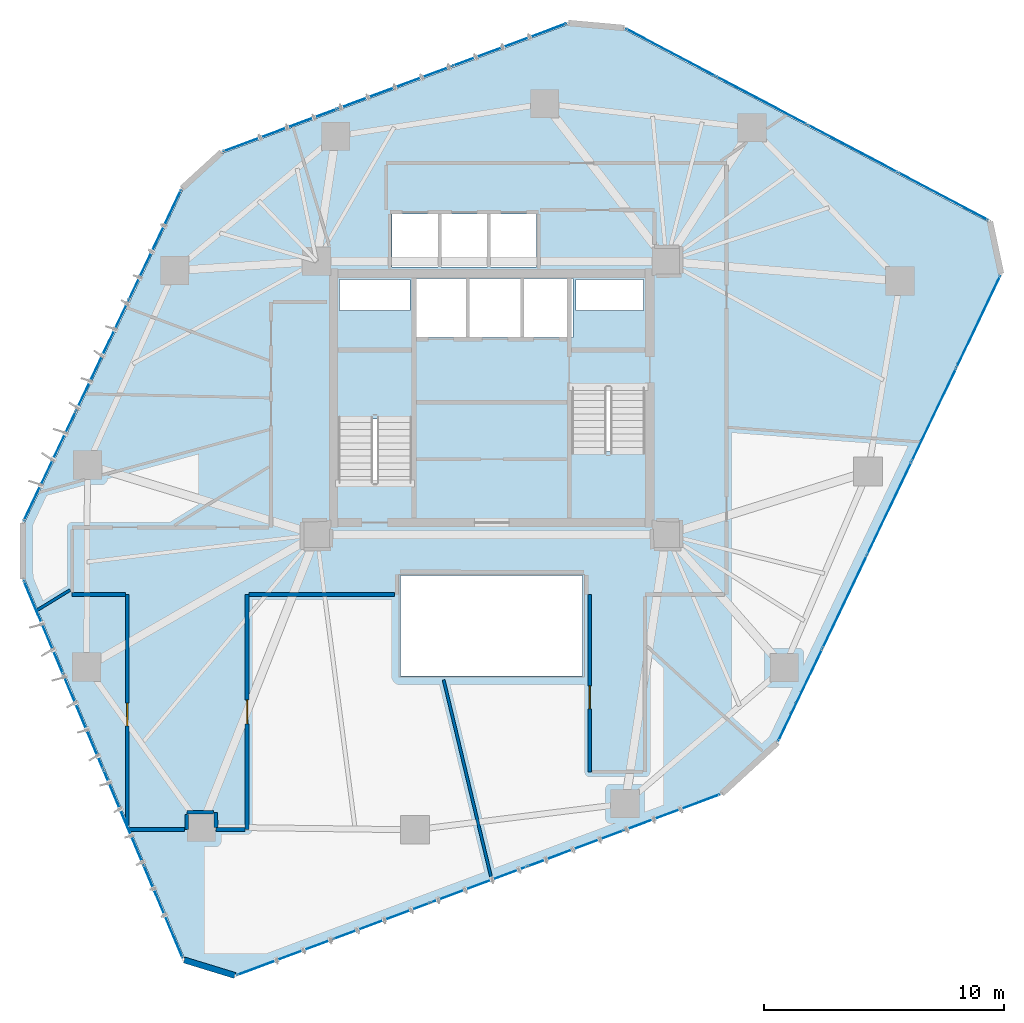
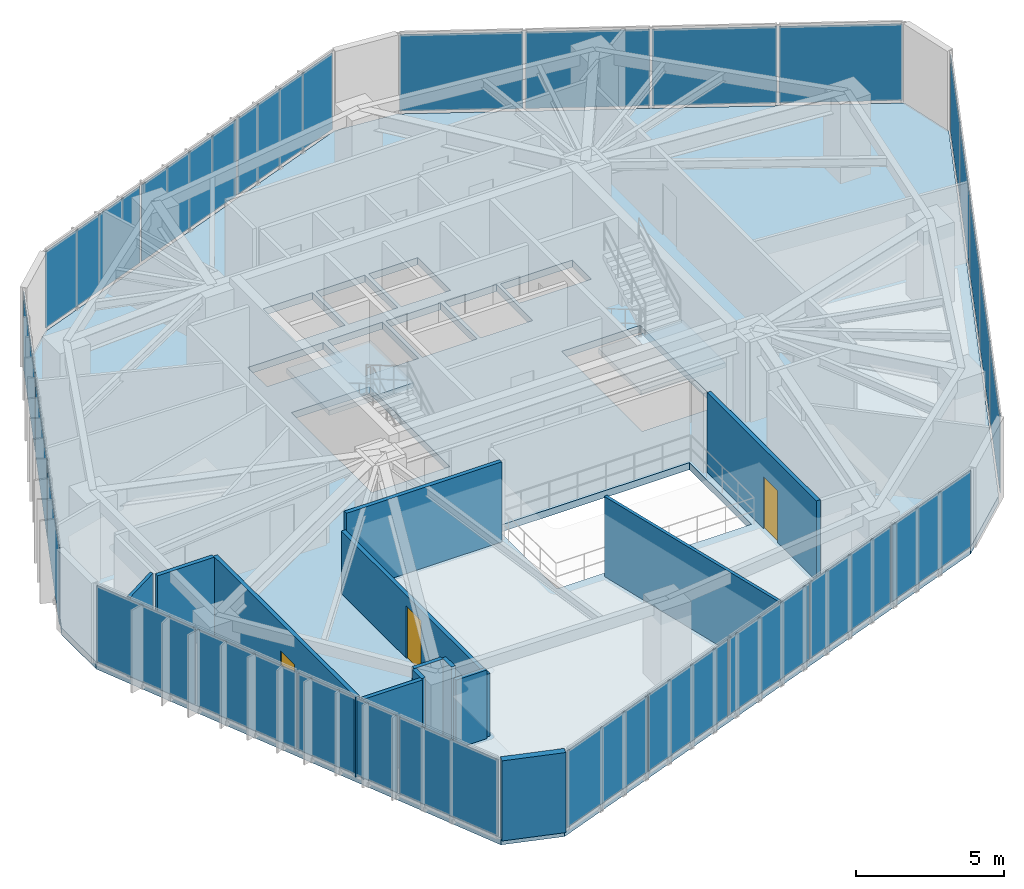
# One storey, part 16 of 22: 24 plates, 13 walls, 3 doors, 3 slabs, 3 openings, 8 elements without a shape of their own.
"""IFC4 building model written with IfcOpenShell, lengths in metres."""

from ifc_helpers import new_model, si_unit, direction, frame, frame_2d, origin, origin_2d, place, context, subcontext, project, spatial, polyline, rectangle, outline, extrude, source, transform, mapped, material, layer, layer_set, type_object, type_shapes, element, fill, aggregate, save


model = new_model("IFC4")

# Units and contexts
model_context = context("Model", 3, precision=1e-05, world=origin(), true_north=direction((0.0, 1.0)))
body_context = subcontext(model_context, "Body", "Model", "MODEL_VIEW")
ifc_project = project(units=[si_unit("LENGTHUNIT", "METRE"), si_unit("AREAUNIT", "SQUARE_METRE"), si_unit("VOLUMEUNIT", "CUBIC_METRE"), si_unit("PLANEANGLEUNIT", "RADIAN"), si_unit("MASSUNIT", "GRAM", prefix="KILO")], contexts=[model_context])

# Site, building, storey
site_placement = place(None, origin())
site = spatial("IfcSite", under=ifc_project, at=site_placement, CompositionType="ELEMENT")
building_placement = place(site_placement, origin())
building = spatial("IfcBuilding", under=site, at=building_placement, Name="Talar Marvaseh", CompositionType="ELEMENT")
storey_placement = place(building_placement, frame((0.0, 0.0, 150.60009765625)))
storey = spatial("IfcBuildingStorey", under=building, at=storey_placement, Name="L39", CompositionType="ELEMENT", Elevation=150.60009765625)

# Stair, slab
ifc_material_1 = material(Name="Concrete C40/50", Category="concrete")
stair_type = type_object("IfcStairType", Name="Reinforced Concrete Half-Turn Exit Stair Type B", PredefinedType="HALF_TURN_STAIR", material=ifc_material_1)
stair_1_placement = place(storey_placement, origin())
stair_1 = element("IfcStair", 1, at=stair_1_placement, inside=storey, type_object=stair_type, Name="L39 Tower West Core Exit Stair", PredefinedType="HALF_TURN_STAIR")
ifc_layer_1 = layer(ifc_material_1, 0.199951171875)
ifc_layer_set_1 = layer_set([ifc_layer_1], Name="Concrete C40/50")
slab_type_1 = type_object("IfcSlabType", Name="Reinforced Concrete Stair Half-Landing Slab 200", PredefinedType="LANDING", material=ifc_layer_set_1)
slab_1_placement = place(storey_placement, frame((0.0, 0.0, 1.599853515625)))
slab_1 = element("IfcSlab", 2, at=slab_1_placement, type_object=slab_type_1, Name="ST-1 landing 1", PredefinedType="LANDING", context=body_context, shape_type="SweptSolid", body=[
    extrude(outline(polyline([(22.780029296875, 30.330078125), (22.780029296875, 33.219970703125), (19.47998046875, 33.219970703125), (19.47998046875, 30.330078125), (22.780029296875, 30.330078125)])), origin(), (0.0, 0.0, 1.0), 0.199951171875),
])
aggregate(stair_1, [slab_1])

stair_2_placement = place(storey_placement, origin())
stair_2 = element("IfcStair", 3, at=stair_2_placement, inside=storey, type_object=stair_type, Name="L39 Tower East Core Exit Stair", PredefinedType="HALF_TURN_STAIR")
slab_2_placement = place(storey_placement, frame((0.0, 0.0, 1.599853515625)))
slab_2 = element("IfcSlab", 4, at=slab_2_placement, type_object=slab_type_1, Name="ST-2 landing 1", PredefinedType="LANDING", context=body_context, shape_type="SweptSolid", body=[
    extrude(outline(polyline([(29.219970703125, 28.969970703125), (29.219970703125, 26.080078125), (32.52001953125, 26.080078125), (32.52001953125, 28.969970703125), (29.219970703125, 28.969970703125)])), origin(), (0.0, 0.0, 1.0), 0.199951171875),
])
aggregate(stair_2, [slab_2])

# Slab
ifc_layer_2 = layer(ifc_material_1, 0.2900390625)
ifc_layer_set_2 = layer_set([ifc_layer_2], Name="Concrete C40/50")
slab_type_2 = type_object("IfcSlabType", Name="Structural Suspended Floor Slab 290", PredefinedType="FLOOR", material=ifc_layer_set_2)
slab_3_placement = place(storey_placement, frame((0.0, 0.0, -0.2900390625)))
element("IfcSlab", 5, at=slab_3_placement, inside=storey, type_object=slab_type_2, Name="L39 Tower Floor Slab", PredefinedType="FLOOR", context=body_context, shape_type="SweptSolid", body=[
    extrude(outline(polyline([(15.311279296875, 7.159423828125), (13.1923828125, 7.810302734375), (6.517578125, 23.653076171875), (6.5126953125, 25.993896484375), (13.12158203125, 39.892578125), (14.777099609375, 41.409423828125), (29.19873046875, 46.781982421875), (31.5302734375, 46.57275390625), (46.731201171875, 38.542724609375), (47.19482421875, 36.375), (37.885009765625, 16.86474609375), (35.558837890625, 14.733154296875), (15.311279296875, 7.159423828125)]), holes=[polyline([(22.659912109375, 27.64990234375), (22.659912109375, 33.10009765625), (19.60009765625, 33.10009765625), (19.60009765625, 27.64990234375), (22.659912109375, 27.64990234375)]), polyline([(29.340087890625, 31.64990234375), (29.340087890625, 26.199951171875), (32.39990234375, 26.199951171875), (32.39990234375, 31.64990234375), (29.340087890625, 31.64990234375)]), polyline([(22.800048828125, 33.719970703125), (24.93994140625, 33.719970703125), (24.93994140625, 36.179931640625), (22.800048828125, 36.179931640625), (22.800048828125, 33.719970703125)]), polyline([(25.080078125, 33.719970703125), (27.219970703125, 33.719970703125), (27.219970703125, 36.179931640625), (25.080078125, 36.179931640625), (25.080078125, 33.719970703125)]), polyline([(27.360107421875, 33.719970703125), (29.39990234375, 33.719970703125), (29.39990234375, 36.179931640625), (27.360107421875, 36.179931640625), (27.360107421875, 33.719970703125)]), polyline([(21.840087890625, 36.659912109375), (23.760009765625, 36.659912109375), (23.760009765625, 38.8798828125), (21.840087890625, 38.8798828125), (21.840087890625, 36.659912109375)]), polyline([(23.89990234375, 36.659912109375), (25.820068359375, 36.659912109375), (25.820068359375, 38.8798828125), (23.89990234375, 38.8798828125), (23.89990234375, 36.659912109375)]), polyline([(25.9599609375, 36.659912109375), (27.8798828125, 36.659912109375), (27.8798828125, 38.8798828125), (25.9599609375, 38.8798828125), (25.9599609375, 36.659912109375)]), polyline([(19.659912109375, 34.840087890625), (22.60009765625, 34.840087890625), (22.60009765625, 36.139892578125), (19.659912109375, 36.139892578125), (19.659912109375, 34.840087890625)]), polyline([(29.52001953125, 34.840087890625), (32.340087890625, 34.840087890625), (32.340087890625, 36.139892578125), (29.52001953125, 36.139892578125), (29.52001953125, 34.840087890625)]), polyline([(22.199951171875, 19.60009765625), (29.800048828125, 19.60009765625), (29.800048828125, 23.800048828125), (22.199951171875, 23.800048828125), (22.199951171875, 19.60009765625)])]), origin(), (0.0, 0.0, 1.0), 0.2900390625),
])

# Curtain wall, plates
ifc_material_2 = material(Name="Architectural Aluminium", Category="aluminium")
ifc_layer_3 = layer(ifc_material_2, 0.199951171875)
ifc_layer_set_3 = layer_set([ifc_layer_3], Name="Architectural Aluminium")
curtain_wall_type = type_object("IfcCurtainWallType", Name="Unitised Acoustic Library Curtain Wall Z2", PredefinedType="NOTDEFINED", material=ifc_layer_set_3)
curtain_wall_1_placement = place(storey_placement, origin())
curtain_wall_1 = element("IfcCurtainWall", 6, at=curtain_wall_1_placement, inside=storey, type_object=curtain_wall_type, Name="L39 Unitised Acoustic Library Curtain Wall Z2", PredefinedType="NOTDEFINED")
ifc_material_3 = material(Name="Laminated Low-E Solar Glass", Category="glass")
ifc_layer_4 = layer(ifc_material_3, 0.028076171875)
ifc_layer_set_4 = layer_set([ifc_layer_4], Name="Laminated Low-E Solar Glass")
plate_type = type_object("IfcPlateType", Name="Double-Glazed Low-E Vision Curtain Panel 28", PredefinedType="CURTAIN_PANEL", material=ifc_layer_set_4)
shared_shape_1 = source(origin(), body_context, "Body", "SweptSolid", [
    extrude(rectangle(XDim=4.185302734375, YDim=0.028076171875, at=origin_2d()), origin(), (0.0, 0.0, 1.0), 3.159912109375),
])
plate_1_placement = place(storey_placement, frame((12.295654296875, 9.784423828125, 0.07470703125), z_axis=(0.0, 0.0, 1.0), x_axis=(-0.388259825924, 0.921549948496, 0.0)))
plate_1 = element("IfcPlate", 7, at=plate_1_placement, type_object=plate_type, Name="CW-Z2 panel 1.1", PredefinedType="CURTAIN_PANEL", context=body_context, shape_type="MappedRepresentation", body=[
    mapped(shared_shape_1, transform((0.0, 0.0, 0.0), x_axis=(1.0, 0.0, 0.0), y_axis=(0.0, 1.0, 0.0), z_axis=(0.0, 0.0, 1.0), scale=1.0)),
])
plate_2_placement = place(storey_placement, frame((7.303955078125, 21.632080078125, 0.07470703125), z_axis=(0.0, 0.0, 1.0), x_axis=(-0.388259825924, 0.921549948496, 0.0)))
plate_2 = element("IfcPlate", 8, at=plate_2_placement, type_object=plate_type, Name="CW-Z2 panel 4.1", PredefinedType="CURTAIN_PANEL", context=body_context, shape_type="MappedRepresentation", body=[
    mapped(shared_shape_1, transform((0.0, 0.0, 0.0), x_axis=(1.0, 0.0, 0.0), y_axis=(0.0, 1.0, 0.0), z_axis=(0.0, 0.0, 1.0), scale=1.0)),
])

curtain_wall_2_placement = place(storey_placement, origin())
curtain_wall_2 = element("IfcCurtainWall", 9, at=curtain_wall_2_placement, inside=storey, type_object=curtain_wall_type, Name="L39 Unitised Acoustic Library Curtain Wall Z2", PredefinedType="NOTDEFINED")
plate_3_placement = place(storey_placement, frame((33.47509765625, 45.61328125, 0.07470703125), z_axis=(0.0, 0.0, 1.0), x_axis=(0.88420566825, -0.467097780164, 0.0)))
plate_3 = element("IfcPlate", 10, at=plate_3_placement, type_object=plate_type, Name="CW-Z2 panel 1.1", PredefinedType="CURTAIN_PANEL", context=body_context, shape_type="MappedRepresentation", body=[
    mapped(shared_shape_1, transform((0.0, 0.0, 0.0), x_axis=(1.0, 0.0, 0.0), y_axis=(0.0, 1.0, 0.0), z_axis=(0.0, 0.0, 1.0), scale=1.0)),
])
plate_4_placement = place(storey_placement, frame((44.842529296875, 39.6083984375, 0.07470703125), z_axis=(0.0, 0.0, 1.0), x_axis=(0.88420566825, -0.467097780164, 0.0)))
plate_4 = element("IfcPlate", 11, at=plate_4_placement, type_object=plate_type, Name="CW-Z2 panel 4.1", PredefinedType="CURTAIN_PANEL", context=body_context, shape_type="MappedRepresentation", body=[
    mapped(shared_shape_1, transform((0.0, 0.0, 0.0), x_axis=(1.0, 0.0, 0.0), y_axis=(0.0, 1.0, 0.0), z_axis=(0.0, 0.0, 1.0), scale=1.0)),
])

# Plate
shared_shape_2 = source(origin(), body_context, "Body", "SweptSolid", [
    extrude(rectangle(XDim=4.222900390625, YDim=0.028076171875, at=origin_2d()), origin(), (0.0, 0.0, 1.0), 3.159912109375),
])
plate_5_placement = place(storey_placement, frame((10.634033203125, 13.72802734375, 0.07470703125), z_axis=(0.0, 0.0, 1.0), x_axis=(-0.388259825924, 0.921549948496, 0.0)))
plate_5 = element("IfcPlate", 12, at=plate_5_placement, type_object=plate_type, Name="CW-Z2 panel 2.1", PredefinedType="CURTAIN_PANEL", context=body_context, shape_type="MappedRepresentation", body=[
    mapped(shared_shape_2, transform((0.0, 0.0, 0.0), x_axis=(1.0, 0.0, 0.0), y_axis=(0.0, 1.0, 0.0), z_axis=(0.0, 0.0, 1.0), scale=1.0)),
])

plate_6_placement = place(storey_placement, frame((8.96533203125, 17.688720703125, 0.07470703125), z_axis=(0.0, 0.0, 1.0), x_axis=(-0.388259825924, 0.921549948496, 0.0)))
plate_6 = element("IfcPlate", 13, at=plate_6_placement, type_object=plate_type, Name="CW-Z2 panel 3.1", PredefinedType="CURTAIN_PANEL", context=body_context, shape_type="MappedRepresentation", body=[
    mapped(shared_shape_2, transform((0.0, 0.0, 0.0), x_axis=(1.0, 0.0, 0.0), y_axis=(0.0, 1.0, 0.0), z_axis=(0.0, 0.0, 1.0), scale=1.0)),
])

aggregate(curtain_wall_1, [plate_1, plate_5, plate_6, plate_2])

plate_7_placement = place(storey_placement, frame((37.258544921875, 43.614501953125, 0.07470703125), z_axis=(0.0, 0.0, 1.0), x_axis=(0.88420566825, -0.467097780164, 0.0)))
plate_7 = element("IfcPlate", 14, at=plate_7_placement, type_object=plate_type, Name="CW-Z2 panel 2.1", PredefinedType="CURTAIN_PANEL", context=body_context, shape_type="MappedRepresentation", body=[
    mapped(shared_shape_2, transform((0.0, 0.0, 0.0), x_axis=(1.0, 0.0, 0.0), y_axis=(0.0, 1.0, 0.0), z_axis=(0.0, 0.0, 1.0), scale=1.0)),
])

plate_8_placement = place(storey_placement, frame((41.058837890625, 41.607177734375, 0.07470703125), z_axis=(0.0, 0.0, 1.0), x_axis=(0.88420566825, -0.467097780164, 0.0)))
plate_8 = element("IfcPlate", 15, at=plate_8_placement, type_object=plate_type, Name="CW-Z2 panel 3.1", PredefinedType="CURTAIN_PANEL", context=body_context, shape_type="MappedRepresentation", body=[
    mapped(shared_shape_2, transform((0.0, 0.0, 0.0), x_axis=(1.0, 0.0, 0.0), y_axis=(0.0, 1.0, 0.0), z_axis=(0.0, 0.0, 1.0), scale=1.0)),
])

aggregate(curtain_wall_2, [plate_3, plate_7, plate_8, plate_4])

# Curtain wall, plates
curtain_wall_3_placement = place(storey_placement, origin())
curtain_wall_3 = element("IfcCurtainWall", 16, at=curtain_wall_3_placement, inside=storey, type_object=curtain_wall_type, Name="L39 Unitised Acoustic Library Curtain Wall Z2", PredefinedType="NOTDEFINED")
shared_shape_3 = source(origin(), body_context, "Body", "SweptSolid", [
    extrude(rectangle(XDim=5.017578125, YDim=0.028076171875, at=origin_2d()), origin(), (0.0, 0.0, 1.0), 3.159912109375),
])
plate_9_placement = place(storey_placement, frame((7.56787109375, 28.35302734375, 0.07470703125), z_axis=(0.0, 0.0, 1.0), x_axis=(0.429439414656, 0.903095669982, 0.0)))
plate_9 = element("IfcPlate", 17, at=plate_9_placement, type_object=plate_type, Name="CW-Z2 panel 1.1", PredefinedType="CURTAIN_PANEL", context=body_context, shape_type="MappedRepresentation", body=[
    mapped(shared_shape_3, transform((0.0, 0.0, 0.0), x_axis=(1.0, 0.0, 0.0), y_axis=(0.0, 1.0, 0.0), z_axis=(0.0, 0.0, 1.0), scale=1.0)),
])
plate_10_placement = place(storey_placement, frame((11.9580078125, 37.5849609375, 0.07470703125), z_axis=(0.0, 0.0, 1.0), x_axis=(0.429439414656, 0.903095669982, 0.0)))
plate_10 = element("IfcPlate", 18, at=plate_10_placement, type_object=plate_type, Name="CW-Z2 panel 3.1", PredefinedType="CURTAIN_PANEL", context=body_context, shape_type="MappedRepresentation", body=[
    mapped(shared_shape_3, transform((0.0, 0.0, 0.0), x_axis=(1.0, 0.0, 0.0), y_axis=(0.0, 1.0, 0.0), z_axis=(0.0, 0.0, 1.0), scale=1.0)),
])

curtain_wall_4_placement = place(storey_placement, origin())
curtain_wall_4 = element("IfcCurtainWall", 19, at=curtain_wall_4_placement, inside=storey, type_object=curtain_wall_type, Name="L39 Unitised Acoustic Library Curtain Wall Z2", PredefinedType="NOTDEFINED")
plate_11_placement = place(storey_placement, frame((17.17724609375, 42.36767578125, 0.07470703125), z_axis=(0.0, 0.0, 1.0), x_axis=(0.937086949634, 0.349096045274, 0.0)))
plate_11 = element("IfcPlate", 20, at=plate_11_placement, type_object=plate_type, Name="CW-Z2 panel 1.1", PredefinedType="CURTAIN_PANEL", context=body_context, shape_type="MappedRepresentation", body=[
    mapped(shared_shape_3, transform((0.0, 0.0, 0.0), x_axis=(1.0, 0.0, 0.0), y_axis=(0.0, 1.0, 0.0), z_axis=(0.0, 0.0, 1.0), scale=1.0)),
])
plate_12_placement = place(storey_placement, frame((26.756591796875, 45.936279296875, 0.07470703125), z_axis=(0.0, 0.0, 1.0), x_axis=(0.937086949634, 0.349096045274, 0.0)))
plate_12 = element("IfcPlate", 21, at=plate_12_placement, type_object=plate_type, Name="CW-Z2 panel 3.1", PredefinedType="CURTAIN_PANEL", context=body_context, shape_type="MappedRepresentation", body=[
    mapped(shared_shape_3, transform((0.0, 0.0, 0.0), x_axis=(1.0, 0.0, 0.0), y_axis=(0.0, 1.0, 0.0), z_axis=(0.0, 0.0, 1.0), scale=1.0)),
])

# Plate
shared_shape_4 = source(origin(), body_context, "Body", "SweptSolid", [
    extrude(rectangle(XDim=5.054931640625, YDim=0.028076171875, at=origin_2d()), origin(), (0.0, 0.0, 1.0), 3.159912109375),
])
plate_13_placement = place(storey_placement, frame((9.762939453125, 32.968994140625, 0.07470703125), z_axis=(0.0, 0.0, 1.0), x_axis=(0.429439414656, 0.903095669982, 0.0)))
plate_13 = element("IfcPlate", 22, at=plate_13_placement, type_object=plate_type, Name="CW-Z2 panel 2.1", PredefinedType="CURTAIN_PANEL", context=body_context, shape_type="MappedRepresentation", body=[
    mapped(shared_shape_4, transform((0.0, 0.0, 0.0), x_axis=(1.0, 0.0, 0.0), y_axis=(0.0, 1.0, 0.0), z_axis=(0.0, 0.0, 1.0), scale=1.0)),
])

aggregate(curtain_wall_3, [plate_9, plate_13, plate_10])

plate_14_placement = place(storey_placement, frame((21.967041015625, 44.15185546875, 0.07470703125), z_axis=(0.0, 0.0, 1.0), x_axis=(0.937086949634, 0.349096045274, 0.0)))
plate_14 = element("IfcPlate", 23, at=plate_14_placement, type_object=plate_type, Name="CW-Z2 panel 2.1", PredefinedType="CURTAIN_PANEL", context=body_context, shape_type="MappedRepresentation", body=[
    mapped(shared_shape_4, transform((0.0, 0.0, 0.0), x_axis=(1.0, 0.0, 0.0), y_axis=(0.0, 1.0, 0.0), z_axis=(0.0, 0.0, 1.0), scale=1.0)),
])

aggregate(curtain_wall_4, [plate_11, plate_14, plate_12])

# Curtain wall, plates
curtain_wall_5_placement = place(storey_placement, origin())
curtain_wall_5 = element("IfcCurtainWall", 24, at=curtain_wall_5_placement, inside=storey, type_object=curtain_wall_type, Name="L39 Unitised Acoustic Library Curtain Wall Z2", PredefinedType="NOTDEFINED")
shared_shape_5 = source(origin(), body_context, "Body", "SweptSolid", [
    extrude(rectangle(XDim=4.2109375, YDim=0.028076171875, at=origin_2d()), origin(), (0.0, 0.0, 1.0), 3.159912109375),
])
plate_15_placement = place(storey_placement, frame((46.31005859375, 34.38134765625, 0.07470703125), z_axis=(0.0, 0.0, 1.0), x_axis=(-0.430652947706, -0.902517611259, 0.0)))
plate_15 = element("IfcPlate", 25, at=plate_15_placement, type_object=plate_type, Name="CW-Z2 panel 1.1", PredefinedType="CURTAIN_PANEL", context=body_context, shape_type="MappedRepresentation", body=[
    mapped(shared_shape_5, transform((0.0, 0.0, 0.0), x_axis=(1.0, 0.0, 0.0), y_axis=(0.0, 1.0, 0.0), z_axis=(0.0, 0.0, 1.0), scale=1.0)),
])
plate_16_placement = place(storey_placement, frame((38.87841796875, 18.806884765625, 0.07470703125), z_axis=(0.0, 0.0, 1.0), x_axis=(-0.430652947706, -0.902517611259, 0.0)))
plate_16 = element("IfcPlate", 26, at=plate_16_placement, type_object=plate_type, Name="CW-Z2 panel 5.1", PredefinedType="CURTAIN_PANEL", context=body_context, shape_type="MappedRepresentation", body=[
    mapped(shared_shape_5, transform((0.0, 0.0, 0.0), x_axis=(1.0, 0.0, 0.0), y_axis=(0.0, 1.0, 0.0), z_axis=(0.0, 0.0, 1.0), scale=1.0)),
])

curtain_wall_6_placement = place(storey_placement, origin())
curtain_wall_6 = element("IfcCurtainWall", 27, at=curtain_wall_6_placement, inside=storey, type_object=curtain_wall_type, Name="L39 Unitised Acoustic Library Curtain Wall Z2", PredefinedType="NOTDEFINED")
plate_17_placement = place(storey_placement, frame((33.53759765625, 13.9130859375, 0.07470703125), z_axis=(0.0, 0.0, 1.0), x_axis=(-0.936618007098, -0.350352263842, 0.0)))
plate_17 = element("IfcPlate", 28, at=plate_17_placement, type_object=plate_type, Name="CW-Z2 panel 1.1", PredefinedType="CURTAIN_PANEL", context=body_context, shape_type="MappedRepresentation", body=[
    mapped(shared_shape_5, transform((0.0, 0.0, 0.0), x_axis=(1.0, 0.0, 0.0), y_axis=(0.0, 1.0, 0.0), z_axis=(0.0, 0.0, 1.0), scale=1.0)),
])
plate_18_placement = place(storey_placement, frame((17.374755859375, 7.8671875, 0.07470703125), z_axis=(0.0, 0.0, 1.0), x_axis=(-0.936618007098, -0.350352263842, 0.0)))
plate_18 = element("IfcPlate", 29, at=plate_18_placement, type_object=plate_type, Name="CW-Z2 panel 5.1", PredefinedType="CURTAIN_PANEL", context=body_context, shape_type="MappedRepresentation", body=[
    mapped(shared_shape_5, transform((0.0, 0.0, 0.0), x_axis=(1.0, 0.0, 0.0), y_axis=(0.0, 1.0, 0.0), z_axis=(0.0, 0.0, 1.0), scale=1.0)),
])

# Plate
shared_shape_6 = source(origin(), body_context, "Body", "SweptSolid", [
    extrude(rectangle(XDim=4.24853515625, YDim=0.028076171875, at=origin_2d()), origin(), (0.0, 0.0, 1.0), 3.159912109375),
])
type_shapes(plate_type, [shared_shape_1, shared_shape_2, shared_shape_3, shared_shape_4, shared_shape_5, shared_shape_6])
plate_19_placement = place(storey_placement, frame((44.4560546875, 30.49609375, 0.07470703125), z_axis=(0.0, 0.0, 1.0), x_axis=(-0.430652947706, -0.902517611259, 0.0)))
plate_19 = element("IfcPlate", 30, at=plate_19_placement, type_object=plate_type, Name="CW-Z2 panel 2.1", PredefinedType="CURTAIN_PANEL", context=body_context, shape_type="MappedRepresentation", body=[
    mapped(shared_shape_6, transform((0.0, 0.0, 0.0), x_axis=(1.0, 0.0, 0.0), y_axis=(0.0, 1.0, 0.0), z_axis=(0.0, 0.0, 1.0), scale=1.0)),
])

plate_20_placement = place(storey_placement, frame((42.59423828125, 26.59423828125, 0.07470703125), z_axis=(0.0, 0.0, 1.0), x_axis=(-0.430652947706, -0.902517611259, 0.0)))
plate_20 = element("IfcPlate", 31, at=plate_20_placement, type_object=plate_type, Name="CW-Z2 panel 3.1", PredefinedType="CURTAIN_PANEL", context=body_context, shape_type="MappedRepresentation", body=[
    mapped(shared_shape_6, transform((0.0, 0.0, 0.0), x_axis=(1.0, 0.0, 0.0), y_axis=(0.0, 1.0, 0.0), z_axis=(0.0, 0.0, 1.0), scale=1.0)),
])

plate_21_placement = place(storey_placement, frame((40.732177734375, 22.692138671875, 0.07470703125), z_axis=(0.0, 0.0, 1.0), x_axis=(-0.430652947706, -0.902517611259, 0.0)))
plate_21 = element("IfcPlate", 32, at=plate_21_placement, type_object=plate_type, Name="CW-Z2 panel 4.1", PredefinedType="CURTAIN_PANEL", context=body_context, shape_type="MappedRepresentation", body=[
    mapped(shared_shape_6, transform((0.0, 0.0, 0.0), x_axis=(1.0, 0.0, 0.0), y_axis=(0.0, 1.0, 0.0), z_axis=(0.0, 0.0, 1.0), scale=1.0)),
])

aggregate(curtain_wall_5, [plate_15, plate_19, plate_20, plate_21, plate_16])

plate_22_placement = place(storey_placement, frame((29.505615234375, 12.40478515625, 0.07470703125), z_axis=(0.0, 0.0, 1.0), x_axis=(-0.936618007098, -0.350352263842, 0.0)))
plate_22 = element("IfcPlate", 33, at=plate_22_placement, type_object=plate_type, Name="CW-Z2 panel 2.1", PredefinedType="CURTAIN_PANEL", context=body_context, shape_type="MappedRepresentation", body=[
    mapped(shared_shape_6, transform((0.0, 0.0, 0.0), x_axis=(1.0, 0.0, 0.0), y_axis=(0.0, 1.0, 0.0), z_axis=(0.0, 0.0, 1.0), scale=1.0)),
])

plate_23_placement = place(storey_placement, frame((25.4560546875, 10.89013671875, 0.07470703125), z_axis=(0.0, 0.0, 1.0), x_axis=(-0.936618007098, -0.350352263842, 0.0)))
plate_23 = element("IfcPlate", 34, at=plate_23_placement, type_object=plate_type, Name="CW-Z2 panel 3.1", PredefinedType="CURTAIN_PANEL", context=body_context, shape_type="MappedRepresentation", body=[
    mapped(shared_shape_6, transform((0.0, 0.0, 0.0), x_axis=(1.0, 0.0, 0.0), y_axis=(0.0, 1.0, 0.0), z_axis=(0.0, 0.0, 1.0), scale=1.0)),
])

plate_24_placement = place(storey_placement, frame((21.40673828125, 9.375244140625, 0.07470703125), z_axis=(0.0, 0.0, 1.0), x_axis=(-0.936618007098, -0.350352263842, 0.0)))
plate_24 = element("IfcPlate", 35, at=plate_24_placement, type_object=plate_type, Name="CW-Z2 panel 4.1", PredefinedType="CURTAIN_PANEL", context=body_context, shape_type="MappedRepresentation", body=[
    mapped(shared_shape_6, transform((0.0, 0.0, 0.0), x_axis=(1.0, 0.0, 0.0), y_axis=(0.0, 1.0, 0.0), z_axis=(0.0, 0.0, 1.0), scale=1.0)),
])

aggregate(curtain_wall_6, [plate_17, plate_22, plate_23, plate_24, plate_18])

# Wall
ifc_material_4 = material(Name="Precast concrete C45/55", Category="concrete")
ifc_layer_5 = layer(ifc_material_4, 0.2548828125)
ifc_layer_set_5 = layer_set([ifc_layer_5], Name="Precast concrete C45/55")
wall_type_1 = type_object("IfcWallType", Name="Chamfered Hexagonal Corner Pier Wall Z2 255", PredefinedType="SOLIDWALL", material=ifc_layer_set_5)
wall_1_placement = place(storey_placement, frame((15.293701171875, 7.10205078125, 0.0), z_axis=(0.0, 0.0, 1.0), x_axis=(-0.95594793811, 0.293536266282, 0.0)))
element("IfcWall", 36, at=wall_1_placement, inside=storey, type_object=wall_type_1, Name="L39 Chamfered Corner Limestone Pier 1", PredefinedType="SOLIDWALL", context=body_context, shape_type="SweptSolid", body=[
    extrude(rectangle(XDim=2.216552734375, YDim=0.2548828125, at=frame_2d((1.1083984375, 0.0))), origin(), (0.0, 0.0, 1.0), 3.309814453125),
])

# Wall, opening, door
ifc_material_5 = material(Name="Gypsum Board Partition Assembly")
ifc_layer_6 = layer(ifc_material_5, 0.155029296875)
ifc_layer_set_6 = layer_set([ifc_layer_6], Name="Gypsum Board Partition Assembly")
wall_type_2 = type_object("IfcWallType", Name="Corridor Fire-Rated Acoustic Partition 155", PredefinedType="PARTITIONING", material=ifc_layer_set_6)
wall_2_placement = place(storey_placement, frame((30.10009765625, 15.60009765625, 0.0), z_axis=(0.0, 0.0, 1.0), x_axis=(0.0, 1.0, 0.0)))
wall_2 = element("IfcWall", 37, at=wall_2_placement, inside=storey, type_object=wall_type_2, Name="L39 Interior Partition Wall", PredefinedType="PARTITIONING", context=body_context, shape_type="SweptSolid", body=[
    extrude(rectangle(XDim=7.39990234375, YDim=0.155029296875, at=frame_2d((3.699951171875, 0.0))), origin(), (0.0, 0.0, 1.0), 3.309814453125),
])
opening_1_placement = place(wall_2_placement, frame((2.633056640625, 0.0, 0.0)))
opening_1 = element("IfcOpeningElement", 38, at=opening_1_placement, cuts=wall_2, Name="Opening DR-WC095", PredefinedType="OPENING", context=body_context, shape_type="SweptSolid", body=[
    extrude(rectangle(XDim=0.949951171875, YDim=2.14990234375, at=frame_2d((0.47509765625, 1.074951171875))), frame((0.0, 0.08740234375, 0.0), z_axis=(0.0, -1.0, 0.0), x_axis=(1.0, 0.0, 0.0)), (0.0, 0.0, 1.0), 0.175048828125),
])
ifc_material_6 = material(Name="Acoustic Engineered Oak Timber", Category="wood")
door_type_1 = type_object("IfcDoorType", Name="Washroom and Service Room Door 950x2150", OperationType="NOTDEFINED", PredefinedType="DOOR", material=ifc_material_6)
shared_shape_7 = source(origin(), body_context, "Body", "SweptSolid", [
    extrude(rectangle(XDim=0.949951171875, YDim=2.14990234375, at=frame_2d((0.47509765625, 1.074951171875))), frame((0.0, 0.02490234375, 0.0), z_axis=(0.0, -1.0, 0.0), x_axis=(1.0, 0.0, 0.0)), (0.0, 0.0, 1.0), 0.050048828125),
])
type_shapes(door_type_1, [shared_shape_7])
door_1_placement = place(opening_1_placement, origin())
door_1 = element("IfcDoor", 39, at=door_1_placement, inside=storey, type_object=door_type_1, Name="L39 Scholars' Servery Pantry Door", OperationType="SINGLE_SWING_RIGHT", OverallHeight=2.14990234375, OverallWidth=0.949951171875, PredefinedType="DOOR", context=body_context, shape_type="MappedRepresentation", body=[
    mapped(shared_shape_7, transform((0.0, 0.0, 0.0), x_axis=(1.0, 0.0, 0.0), y_axis=(0.0, 1.0, 0.0), z_axis=(0.0, 0.0, 1.0), scale=1.0)),
])
fill(opening_1, door_1)

wall_3_placement = place(storey_placement, frame((15.800048828125, 23.0, 0.0), z_axis=(0.0, 0.0, 1.0), x_axis=(0.0, -1.0, 0.0)))
wall_3 = element("IfcWall", 40, at=wall_3_placement, inside=storey, type_object=wall_type_2, Name="L39 Interior Partition Wall", PredefinedType="PARTITIONING", context=body_context, shape_type="SweptSolid", body=[
    extrude(rectangle(XDim=9.800048828125, YDim=0.155029296875, at=frame_2d((4.89990234375, 0.0))), origin(), (0.0, 0.0, 1.0), 2.58984375),
])
opening_2_placement = place(wall_3_placement, frame((4.39990234375, 0.0, 0.0)))
opening_2 = element("IfcOpeningElement", 41, at=opening_2_placement, cuts=wall_3, Name="Opening DR-RM100", PredefinedType="OPENING", context=body_context, shape_type="SweptSolid", body=[
    extrude(rectangle(XDim=1.0, YDim=2.14990234375, at=frame_2d((0.5, 1.074951171875))), frame((0.0, 0.08740234375, 0.0), z_axis=(0.0, -1.0, 0.0), x_axis=(1.0, 0.0, 0.0)), (0.0, 0.0, 1.0), 0.175048828125),
])
door_type_2 = type_object("IfcDoorType", Name="Corridor Fire-Rated Gallery Door 1000x2150", OperationType="NOTDEFINED", PredefinedType="DOOR", material=ifc_material_6)
shared_shape_8 = source(origin(), body_context, "Body", "SweptSolid", [
    extrude(rectangle(XDim=1.0, YDim=2.14990234375, at=frame_2d((0.5, 1.074951171875))), frame((0.0, 0.02490234375, 0.0), z_axis=(0.0, -1.0, 0.0), x_axis=(1.0, 0.0, 0.0)), (0.0, 0.0, 1.0), 0.050048828125),
])
type_shapes(door_type_2, [shared_shape_8])
door_2_placement = place(opening_2_placement, origin())
door_2 = element("IfcDoor", 42, at=door_2_placement, inside=storey, type_object=door_type_2, Name="L39 Archival Research Office Door", OperationType="SINGLE_SWING_LEFT", OverallHeight=2.14990234375, OverallWidth=1.0, PredefinedType="DOOR", context=body_context, shape_type="MappedRepresentation", body=[
    mapped(shared_shape_8, transform((0.0, 0.0, 0.0), x_axis=(1.0, 0.0, 0.0), y_axis=(0.0, 1.0, 0.0), z_axis=(0.0, 0.0, 1.0), scale=1.0)),
])
fill(opening_2, door_2)

wall_4_placement = place(storey_placement, frame((10.800048828125, 13.359375, 0.0), z_axis=(0.0, 0.0, 1.0), x_axis=(0.0, 1.0, 0.0)))
wall_4 = element("IfcWall", 43, at=wall_4_placement, inside=storey, type_object=wall_type_2, Name="L39 Interior Partition Wall", PredefinedType="PARTITIONING", context=body_context, shape_type="SweptSolid", body=[
    extrude(rectangle(XDim=9.640625, YDim=0.155029296875, at=frame_2d((4.8203125, 0.0))), origin(), (0.0, 0.0, 1.0), 3.309814453125),
])
opening_3_placement = place(wall_4_placement, frame((4.1572265625, 0.0, 0.0)))
opening_3 = element("IfcOpeningElement", 44, at=opening_3_placement, cuts=wall_4, Name="Opening DR-WC095", PredefinedType="OPENING", context=body_context, shape_type="SweptSolid", body=[
    extrude(rectangle(XDim=0.949951171875, YDim=2.14990234375, at=frame_2d((0.47509765625, 1.074951171875))), frame((0.0, 0.08740234375, 0.0), z_axis=(0.0, -1.0, 0.0), x_axis=(1.0, 0.0, 0.0)), (0.0, 0.0, 1.0), 0.175048828125),
])
door_3_placement = place(opening_3_placement, origin())
door_3 = element("IfcDoor", 45, at=door_3_placement, inside=storey, type_object=door_type_1, Name="L39 Hospitality Tea Pantry Door", OperationType="SINGLE_SWING_RIGHT", OverallHeight=2.14990234375, OverallWidth=0.949951171875, PredefinedType="DOOR", context=body_context, shape_type="MappedRepresentation", body=[
    mapped(shared_shape_7, transform((0.0, 0.0, 0.0), x_axis=(1.0, 0.0, 0.0), y_axis=(0.0, 1.0, 0.0), z_axis=(0.0, 0.0, 1.0), scale=1.0)),
])
fill(opening_3, door_3)

# Walls
wall_5_placement = place(storey_placement, frame((21.95654296875, 23.0, 0.0), z_axis=(0.0, 0.0, 1.0), x_axis=(-1.0, 0.0, 0.0)))
element("IfcWall", 46, at=wall_5_placement, inside=storey, type_object=wall_type_2, Name="L39 Interior Partition Wall", PredefinedType="PARTITIONING", context=body_context, shape_type="SweptSolid", body=[
    extrude(rectangle(XDim=6.072998046875, YDim=0.155029296875, at=frame_2d((3.03662109375, 0.0))), origin(), (0.0, 0.0, 1.0), 3.309814453125),
])
wall_6_placement = place(storey_placement, frame((15.716552734375, 13.199951171875, 0.0), z_axis=(0.0, 0.0, 1.0), x_axis=(-1.0, 0.0, 0.0)))
element("IfcWall", 47, at=wall_6_placement, inside=storey, type_object=wall_type_2, Name="L39 Interior Partition Wall", PredefinedType="PARTITIONING", context=body_context, shape_type="SweptSolid", body=[
    extrude(rectangle(XDim=1.21044921875, YDim=0.155029296875, at=frame_2d((0.605224609375, 0.0))), origin(), (0.0, 0.0, 1.0), 2.8349609375),
])
wall_7_placement = place(storey_placement, frame((14.504150390625, 13.283447265625, 0.0), z_axis=(0.0, 0.0, 1.0), x_axis=(-0.020901356295, 0.999781542791, 0.0)))
element("IfcWall", 48, at=wall_7_placement, inside=storey, type_object=wall_type_2, Name="L39 Interior Partition Wall", PredefinedType="PARTITIONING", context=body_context, shape_type="SweptSolid", body=[
    extrude(rectangle(XDim=0.630859375, YDim=0.155029296875, at=frame_2d((0.3154296875, 0.0))), origin(), (0.0, 0.0, 1.0), 3.309814453125),
])
wall_8_placement = place(storey_placement, frame((14.407470703125, 13.913818359375, 0.0), z_axis=(0.0, 0.0, 1.0), x_axis=(-0.999998843163, -0.001521076033, 0.0)))
element("IfcWall", 49, at=wall_8_placement, inside=storey, type_object=wall_type_2, Name="L39 Interior Partition Wall", PredefinedType="PARTITIONING", context=body_context, shape_type="SweptSolid", body=[
    extrude(rectangle(XDim=1.12353515625, YDim=0.155029296875, at=frame_2d((0.561767578125, 0.0))), origin(), (0.0, 0.0, 1.0), 3.309814453125),
])
wall_9_placement = place(storey_placement, frame((13.282958984375, 13.82861328125, 0.0), z_axis=(0.0, 0.0, 1.0), x_axis=(-0.01126142177, -0.999936588179, 0.0)))
element("IfcWall", 50, at=wall_9_placement, inside=storey, type_object=wall_type_2, Name="L39 Interior Partition Wall", PredefinedType="PARTITIONING", context=body_context, shape_type="SweptSolid", body=[
    extrude(rectangle(XDim=0.628662109375, YDim=0.155029296875, at=frame_2d((0.314453125, 0.0))), origin(), (0.0, 0.0, 1.0), 3.309814453125),
])
wall_10_placement = place(storey_placement, frame((13.1923828125, 13.199951171875, 0.0), z_axis=(0.0, 0.0, 1.0), x_axis=(-1.0, 0.0, 0.0)))
element("IfcWall", 51, at=wall_10_placement, inside=storey, type_object=wall_type_2, Name="L39 Interior Partition Wall", PredefinedType="PARTITIONING", context=body_context, shape_type="SweptSolid", body=[
    extrude(rectangle(XDim=2.310791015625, YDim=0.155029296875, at=frame_2d((1.1552734375, 0.0))), origin(), (0.0, 0.0, 1.0), 3.309814453125),
])
wall_11_placement = place(storey_placement, frame((10.716552734375, 23.0, 0.0), z_axis=(0.0, 0.0, 1.0), x_axis=(-1.0, 0.0, 0.0)))
element("IfcWall", 52, at=wall_11_placement, inside=storey, type_object=wall_type_2, Name="L39 Interior Partition Wall", PredefinedType="PARTITIONING", context=body_context, shape_type="SweptSolid", body=[
    extrude(rectangle(XDim=2.216552734375, YDim=0.155029296875, at=frame_2d((1.1083984375, 0.0))), origin(), (0.0, 0.0, 1.0), 3.309814453125),
])
ifc_layer_7 = layer(ifc_material_5, 0.1201171875)
ifc_layer_set_7 = layer_set([ifc_layer_7], Name="Gypsum Board Partition Assembly")
wall_type_3 = type_object("IfcWallType", Name="Demountable Studio Room Partition 120", PredefinedType="PARTITIONING", material=ifc_layer_set_7)
wall_12_placement = place(storey_placement, frame((8.41650390625, 23.188720703125, 0.0), z_axis=(0.0, 0.0, 1.0), x_axis=(-0.852328822611, -0.523006288822, 0.0)))
element("IfcWall", 53, at=wall_12_placement, inside=storey, type_object=wall_type_3, Name="L39 Interior Partition Wall", PredefinedType="PARTITIONING", context=body_context, shape_type="SweptSolid", body=[
    extrude(rectangle(XDim=1.62353515625, YDim=0.1201171875, at=frame_2d((0.811767578125, 0.0))), origin(), (0.0, 0.0, 1.0), 3.309814453125),
])
wall_13_placement = place(storey_placement, frame((24.0, 19.43994140625, 0.0), z_axis=(0.0, 0.0, 1.0), x_axis=(0.233818603407, -0.972280237741, 0.0)))
element("IfcWall", 54, at=wall_13_placement, inside=storey, type_object=wall_type_3, Name="L39 Interior Partition Wall", PredefinedType="PARTITIONING", context=body_context, shape_type="SweptSolid", body=[
    extrude(rectangle(XDim=8.556884765625, YDim=0.1201171875, at=frame_2d((4.2783203125, 0.0))), origin(), (0.0, 0.0, 1.0), 3.309814453125),
])

save(model, "model.ifc")
